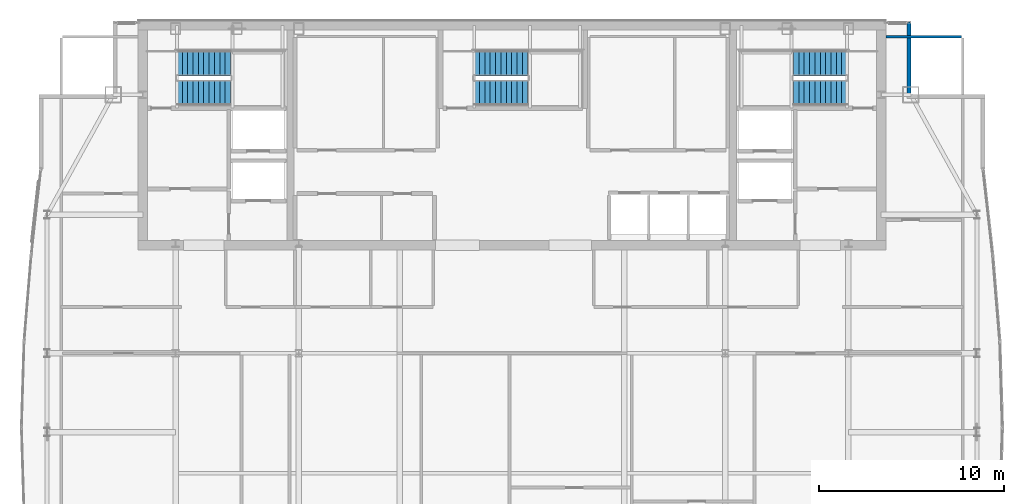
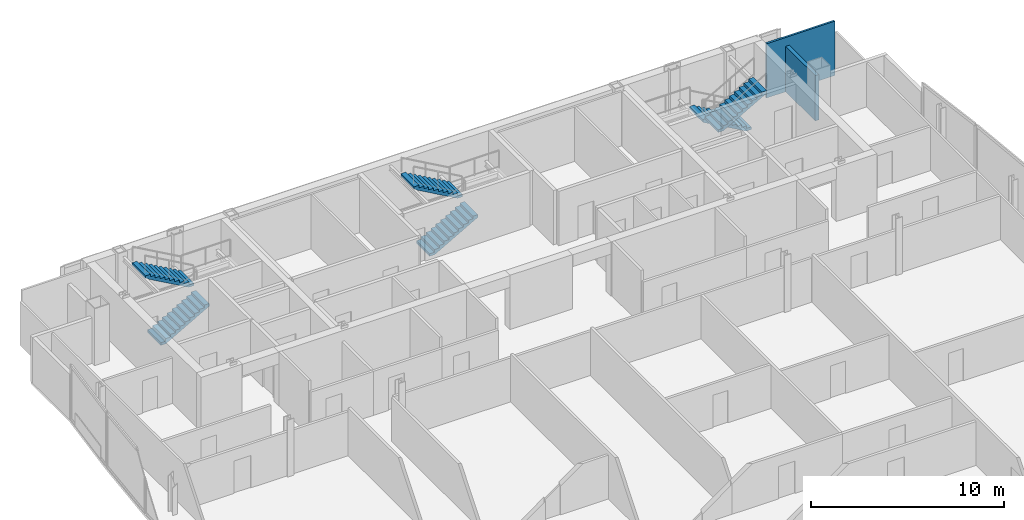
# One storey, part 23 of 25: 6 stair flights, 2 walls, 3 elements without a shape of their own.
"""IFC4 building model written with IfcOpenShell, lengths in metres."""

from ifc_helpers import new_model, si_unit, direction, frame, frame_2d, origin, place, context, subcontext, project, spatial, polyline, rectangle, outline, extrude, material, layer, layer_set, type_object, element, aggregate, save


model = new_model("IFC4")

# Units and contexts
model_context = context("Model", 3, precision=1e-05, world=origin(), true_north=direction((0.0, 1.0)))
body_context = subcontext(model_context, "Body", "Model", "MODEL_VIEW")
ifc_project = project(units=[si_unit("LENGTHUNIT", "METRE"), si_unit("AREAUNIT", "SQUARE_METRE"), si_unit("VOLUMEUNIT", "CUBIC_METRE"), si_unit("PLANEANGLEUNIT", "RADIAN"), si_unit("MASSUNIT", "GRAM", prefix="KILO")], contexts=[model_context])

# Site, building, storey
site_placement = place(None, origin())
site = spatial("IfcSite", under=ifc_project, at=site_placement, CompositionType="ELEMENT")
building_placement = place(site_placement, origin())
building = spatial("IfcBuilding", under=site, at=building_placement, Name="Khoronbel Lancet Exchange", CompositionType="ELEMENT")
storey_placement = place(building_placement, frame((0.0, 0.0, 298.60009765625)))
storey = spatial("IfcBuildingStorey", under=building, at=storey_placement, Name="L77", CompositionType="ELEMENT", Elevation=298.60009765625)

# Walls
ifc_material_1 = material(Name="Precast concrete C40/50", Category="concrete")
ifc_layer_1 = layer(ifc_material_1, 0.25, Name="Precast concrete C40/50")
ifc_layer_set_1 = layer_set([ifc_layer_1], Name="Precast concrete C40/50")
wall_type_1 = type_object("IfcWallType", Name="WL-EXT250", PredefinedType="SOLIDWALL", material=ifc_layer_set_1)
wall_1_placement = place(storey_placement, frame((57.9599609375, 53.6298828125, 0.0), z_axis=(0.0, 0.0, 1.0), x_axis=(0.0, -1.0, 0.0)))
element("IfcWall", 1, at=wall_1_placement, inside=storey, type_object=wall_type_1, Name="Level L77 notched-corner limestone pier 14", PredefinedType="SOLIDWALL", context=body_context, shape_type="SweptSolid", body=[
    extrude(rectangle(XDim=3.909912109375, YDim=0.219970703125, at=frame_2d((1.955078125, 0.0))), origin(), (0.0, 0.0, 1.0), 2.8798828125),
])
ifc_material_2 = material(Name="Acoustic Metal-Stud & Mineral-Wool Gypsum Partition 120 mm", Category="gypsum")
ifc_layer_2 = layer(ifc_material_2, 0.1201171875, Name="Acoustic Metal-Stud & Mineral-Wool Gypsum Partition 120 mm")
ifc_layer_set_2 = layer_set([ifc_layer_2], Name="Acoustic Metal-Stud & Mineral-Wool Gypsum Partition 120 mm")
wall_type_2 = type_object("IfcWallType", Name="WL-PRT120", PredefinedType="PARTITIONING", material=ifc_layer_set_2)
wall_2_placement = place(storey_placement, frame((56.699951171875, 52.840087890625, 0.0), z_axis=(0.0, 0.0, 1.0), x_axis=(1.0, 0.0, 0.0)))
element("IfcWall", 2, at=wall_2_placement, inside=storey, type_object=wall_type_2, Name="Level L77 interior partition PW-LIN-NE", PredefinedType="PARTITIONING", context=body_context, shape_type="SweptSolid", body=[
    extrude(rectangle(XDim=4.10498046875, YDim=0.1201171875, at=frame_2d((2.052490234375, 0.0))), origin(), (0.0, 0.0, 1.0), 3.43994140625),
])

# Stair, stair flights
ifc_material_3 = material(Name="Concrete C40/50", Category="concrete")
stair_type = type_object("IfcStairType", Name="STR-CORE150", PredefinedType="HALF_TURN_STAIR", material=ifc_material_3)
stair_1_placement = place(storey_placement, origin())
stair_1 = element("IfcStair", 3, at=stair_1_placement, inside=storey, type_object=stair_type, Name="L77 Protected Exit Stair ST1", PredefinedType="HALF_TURN_STAIR")
stair_flight_type = type_object("IfcStairFlightType", Name="STF-150", PredefinedType="STRAIGHT", material=ifc_material_3)
stair_flight_1_placement = place(storey_placement, frame((18.300048828125, 49.81005859375, 0.0), z_axis=(0.0, 0.0, 1.0), x_axis=(1.0, 0.0, 0.0)))
stair_flight_1 = element("IfcStairFlight", 4, at=stair_flight_1_placement, type_object=stair_flight_type, Name="ST1 flight 1", NumberOfRisers=11, NumberOfTreads=10, PredefinedType="STRAIGHT", RiserHeight=0.163636364, TreadLength=0.29, context=body_context, shape_type="SweptSolid", body=[
    extrude(outline(polyline([(0.0, 0.0), (0.0, 0.16357421875), (0.2900390625, 0.16357421875), (0.2900390625, 0.327392578125), (0.580078125, 0.327392578125), (0.580078125, 0.490966796875), (0.8701171875, 0.490966796875), (0.8701171875, 0.654541015625), (1.159912109375, 0.654541015625), (1.159912109375, 0.818115234375), (1.449951171875, 0.818115234375), (1.449951171875, 0.98193359375), (1.739990234375, 0.98193359375), (1.739990234375, 1.1455078125), (2.030029296875, 1.1455078125), (2.030029296875, 1.30908203125), (2.320068359375, 1.30908203125), (2.320068359375, 1.47265625), (2.610107421875, 1.47265625), (2.610107421875, 1.636474609375), (2.89990234375, 1.636474609375), (2.89990234375, 1.800048828125), (2.89990234375, 1.46435546875), (0.304931640625, 0.0), (0.0, 0.0)])), frame((0.0, 0.68994140625, 0.0), z_axis=(0.0, -1.0, 0.0), x_axis=(1.0, 0.0, 0.0)), (0.0, 0.0, 1.0), 1.3798828125),
])
stair_flight_2_placement = place(storey_placement, frame((21.199951171875, 51.409912109375, 1.7998046875), z_axis=(0.0, 0.0, 1.0), x_axis=(-1.0, 0.0, 0.0)))
stair_flight_2 = element("IfcStairFlight", 5, at=stair_flight_2_placement, type_object=stair_flight_type, Name="ST1 flight 2", NumberOfRisers=11, NumberOfTreads=10, PredefinedType="STRAIGHT", RiserHeight=0.163636364, TreadLength=0.29, context=body_context, shape_type="SweptSolid", body=[
    extrude(outline(polyline([(0.0, 0.0), (0.0, 0.16357421875), (0.2900390625, 0.16357421875), (0.2900390625, 0.327392578125), (0.580078125, 0.327392578125), (0.580078125, 0.490966796875), (0.8701171875, 0.490966796875), (0.8701171875, 0.654541015625), (1.159912109375, 0.654541015625), (1.159912109375, 0.818115234375), (1.449951171875, 0.818115234375), (1.449951171875, 0.98193359375), (1.739990234375, 0.98193359375), (1.739990234375, 1.1455078125), (2.030029296875, 1.1455078125), (2.030029296875, 1.30908203125), (2.320068359375, 1.30908203125), (2.320068359375, 1.47265625), (2.610107421875, 1.47265625), (2.610107421875, 1.636474609375), (2.89990234375, 1.636474609375), (2.89990234375, 1.800048828125), (2.89990234375, 1.46435546875), (0.304931640625, 0.0), (0.0, 0.0)])), frame((0.0, 0.68994140625, 0.0), z_axis=(0.0, -1.0, 0.0), x_axis=(1.0, 0.0, 0.0)), (0.0, 0.0, 1.0), 1.3798828125),
])
aggregate(stair_1, [stair_flight_1, stair_flight_2])

stair_2_placement = place(storey_placement, origin())
stair_2 = element("IfcStair", 6, at=stair_2_placement, inside=storey, type_object=stair_type, Name="L77 Protected Exit Stair ST2", PredefinedType="HALF_TURN_STAIR")
stair_flight_3_placement = place(storey_placement, frame((54.60009765625, 51.409912109375, 0.0), z_axis=(0.0, 0.0, 1.0), x_axis=(-1.0, 0.0, 0.0)))
stair_flight_3 = element("IfcStairFlight", 7, at=stair_flight_3_placement, type_object=stair_flight_type, Name="ST2 flight 1", NumberOfRisers=11, NumberOfTreads=10, PredefinedType="STRAIGHT", RiserHeight=0.163636364, TreadLength=0.29, context=body_context, shape_type="SweptSolid", body=[
    extrude(outline(polyline([(0.0, 0.0), (0.0, 0.16357421875), (0.2900390625, 0.16357421875), (0.2900390625, 0.327392578125), (0.580078125, 0.327392578125), (0.580078125, 0.490966796875), (0.8701171875, 0.490966796875), (0.8701171875, 0.654541015625), (1.159912109375, 0.654541015625), (1.159912109375, 0.818115234375), (1.449951171875, 0.818115234375), (1.449951171875, 0.98193359375), (1.739990234375, 0.98193359375), (1.739990234375, 1.1455078125), (2.030029296875, 1.1455078125), (2.030029296875, 1.30908203125), (2.320068359375, 1.30908203125), (2.320068359375, 1.47265625), (2.610107421875, 1.47265625), (2.610107421875, 1.636474609375), (2.89990234375, 1.636474609375), (2.89990234375, 1.800048828125), (2.89990234375, 1.46435546875), (0.304931640625, 0.0), (0.0, 0.0)])), frame((0.0, 0.68994140625, 0.0), z_axis=(0.0, -1.0, 0.0), x_axis=(1.0, 0.0, 0.0)), (0.0, 0.0, 1.0), 1.3798828125),
])
stair_flight_4_placement = place(storey_placement, frame((51.699951171875, 49.81005859375, 1.7998046875), z_axis=(0.0, 0.0, 1.0), x_axis=(1.0, 0.0, 0.0)))
stair_flight_4 = element("IfcStairFlight", 8, at=stair_flight_4_placement, type_object=stair_flight_type, Name="ST2 flight 2", NumberOfRisers=11, NumberOfTreads=10, PredefinedType="STRAIGHT", RiserHeight=0.163636364, TreadLength=0.29, context=body_context, shape_type="SweptSolid", body=[
    extrude(outline(polyline([(0.0, 0.0), (0.0, 0.16357421875), (0.2900390625, 0.16357421875), (0.2900390625, 0.327392578125), (0.580078125, 0.327392578125), (0.580078125, 0.490966796875), (0.8701171875, 0.490966796875), (0.8701171875, 0.654541015625), (1.159912109375, 0.654541015625), (1.159912109375, 0.818115234375), (1.449951171875, 0.818115234375), (1.449951171875, 0.98193359375), (1.739990234375, 0.98193359375), (1.739990234375, 1.1455078125), (2.030029296875, 1.1455078125), (2.030029296875, 1.30908203125), (2.320068359375, 1.30908203125), (2.320068359375, 1.47265625), (2.610107421875, 1.47265625), (2.610107421875, 1.636474609375), (2.89990234375, 1.636474609375), (2.89990234375, 1.800048828125), (2.89990234375, 1.46435546875), (0.304931640625, 0.0), (0.0, 0.0)])), frame((0.0, 0.68994140625, 0.0), z_axis=(0.0, -1.0, 0.0), x_axis=(1.0, 0.0, 0.0)), (0.0, 0.0, 1.0), 1.3798828125),
])
aggregate(stair_2, [stair_flight_3, stair_flight_4])

stair_3_placement = place(storey_placement, origin())
stair_3 = element("IfcStair", 9, at=stair_3_placement, inside=storey, type_object=stair_type, Name="L77 Protected Exit Stair ST3", PredefinedType="HALF_TURN_STAIR")
stair_flight_5_placement = place(storey_placement, frame((34.39990234375, 49.81005859375, 0.0), z_axis=(0.0, 0.0, 1.0), x_axis=(1.0, 0.0, 0.0)))
stair_flight_5 = element("IfcStairFlight", 10, at=stair_flight_5_placement, type_object=stair_flight_type, Name="ST3 flight 1", NumberOfRisers=11, NumberOfTreads=10, PredefinedType="STRAIGHT", RiserHeight=0.163636364, TreadLength=0.29, context=body_context, shape_type="SweptSolid", body=[
    extrude(outline(polyline([(0.0, 0.0), (0.0, 0.16357421875), (0.2900390625, 0.16357421875), (0.2900390625, 0.327392578125), (0.580078125, 0.327392578125), (0.580078125, 0.490966796875), (0.8701171875, 0.490966796875), (0.8701171875, 0.654541015625), (1.159912109375, 0.654541015625), (1.159912109375, 0.818115234375), (1.449951171875, 0.818115234375), (1.449951171875, 0.98193359375), (1.739990234375, 0.98193359375), (1.739990234375, 1.1455078125), (2.030029296875, 1.1455078125), (2.030029296875, 1.30908203125), (2.320068359375, 1.30908203125), (2.320068359375, 1.47265625), (2.610107421875, 1.47265625), (2.610107421875, 1.636474609375), (2.89990234375, 1.636474609375), (2.89990234375, 1.800048828125), (2.89990234375, 1.46435546875), (0.304931640625, 0.0), (0.0, 0.0)])), frame((0.0, 0.68994140625, 0.0), z_axis=(0.0, -1.0, 0.0), x_axis=(1.0, 0.0, 0.0)), (0.0, 0.0, 1.0), 1.3798828125),
])
stair_flight_6_placement = place(storey_placement, frame((37.300048828125, 51.409912109375, 1.7998046875), z_axis=(0.0, 0.0, 1.0), x_axis=(-1.0, 0.0, 0.0)))
stair_flight_6 = element("IfcStairFlight", 11, at=stair_flight_6_placement, type_object=stair_flight_type, Name="ST3 flight 2", NumberOfRisers=11, NumberOfTreads=10, PredefinedType="STRAIGHT", RiserHeight=0.163636364, TreadLength=0.29, context=body_context, shape_type="SweptSolid", body=[
    extrude(outline(polyline([(0.0, 0.0), (0.0, 0.16357421875), (0.2900390625, 0.16357421875), (0.2900390625, 0.327392578125), (0.580078125, 0.327392578125), (0.580078125, 0.490966796875), (0.8701171875, 0.490966796875), (0.8701171875, 0.654541015625), (1.159912109375, 0.654541015625), (1.159912109375, 0.818115234375), (1.449951171875, 0.818115234375), (1.449951171875, 0.98193359375), (1.739990234375, 0.98193359375), (1.739990234375, 1.1455078125), (2.030029296875, 1.1455078125), (2.030029296875, 1.30908203125), (2.320068359375, 1.30908203125), (2.320068359375, 1.47265625), (2.610107421875, 1.47265625), (2.610107421875, 1.636474609375), (2.89990234375, 1.636474609375), (2.89990234375, 1.800048828125), (2.89990234375, 1.46435546875), (0.304931640625, 0.0), (0.0, 0.0)])), frame((0.0, 0.68994140625, 0.0), z_axis=(0.0, -1.0, 0.0), x_axis=(1.0, 0.0, 0.0)), (0.0, 0.0, 1.0), 1.3798828125),
])
aggregate(stair_3, [stair_flight_5, stair_flight_6])

save(model, "model.ifc")
